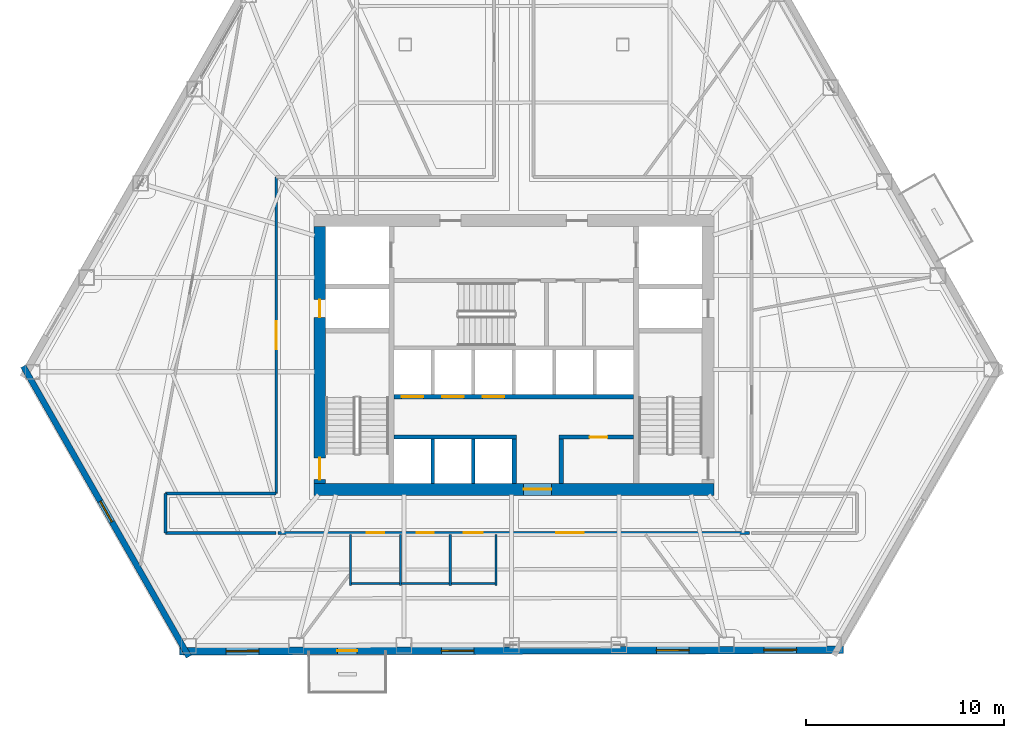
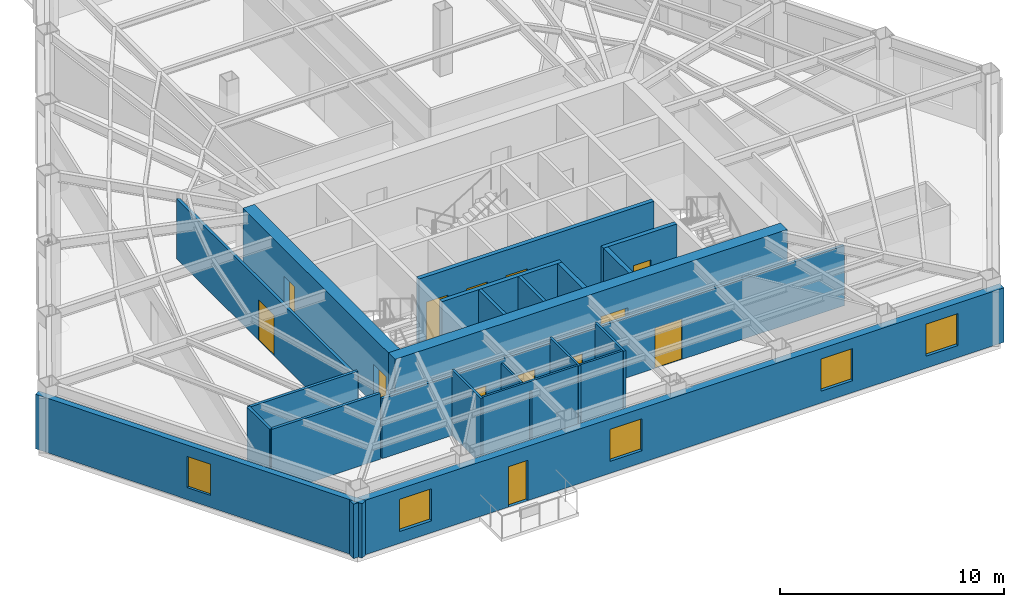
# One storey, part 8 of 14: 21 walls, 13 doors, 5 windows, 18 openings.
"""IFC4 building model written with IfcOpenShell, lengths in metres."""

from ifc_helpers import new_model, si_unit, direction, frame, frame_2d, origin, place, context, subcontext, project, spatial, rectangle, extrude, material, layer, layer_set, type_object, element, fill, save


model = new_model("IFC4")

# Units and contexts
model_context = context("Model", 3, precision=1e-05, world=origin(), true_north=direction((0.0, 1.0)))
body_context = subcontext(model_context, "Body", "Model", "MODEL_VIEW")
ifc_project = project(units=[si_unit("LENGTHUNIT", "METRE"), si_unit("AREAUNIT", "SQUARE_METRE"), si_unit("VOLUMEUNIT", "CUBIC_METRE"), si_unit("PLANEANGLEUNIT", "RADIAN"), si_unit("MASSUNIT", "GRAM", prefix="KILO")], contexts=[model_context])

# Site, building, storey
site_placement = place(None, origin())
site = spatial("IfcSite", under=ifc_project, at=site_placement, CompositionType="ELEMENT")
building_placement = place(site_placement, origin())
building = spatial("IfcBuilding", under=site, at=building_placement, Name="Kavelnor Concourse Tower", CompositionType="ELEMENT")
storey_placement = place(building_placement, frame((0.0, 0.0, 17.550048828125)))
storey = spatial("IfcBuildingStorey", under=building, at=storey_placement, Name="L04", CompositionType="ELEMENT", Elevation=17.550048828125)

# Wall, opening, door
ifc_material_1 = material(Name="Concrete C60/75", Category="concrete")
ifc_layer_1 = layer(ifc_material_1, 0.60009765625, Name="Concrete C60/75")
ifc_layer_set_1 = layer_set([ifc_layer_1], Name="Concrete C60/75")
wall_type_1 = type_object("IfcWallType", Name="WL-CORE-Z1-600", PredefinedType="SOLIDWALL", material=ifc_layer_set_1)
wall_1_placement = place(storey_placement, frame((27.8798828125, 9.300048828125, 0.0), z_axis=(0.0, 0.0, 1.0), x_axis=(1.0, 0.0, 0.0)))
wall_1 = element("IfcWall", 1, at=wall_1_placement, inside=storey, type_object=wall_type_1, Name="L04 Central Core South Shear Wall", PredefinedType="SOLIDWALL", context=body_context, shape_type="SweptSolid", body=[
    extrude(rectangle(XDim=20.240234375, YDim=0.60009765625, at=frame_2d((10.1201171875, 0.0))), origin(), (0.0, 0.0, 1.0), 3.58984375),
])
opening_1_placement = place(wall_1_placement, frame((10.6201171875, 0.0, 0.0)))
opening_1 = element("IfcOpeningElement", 2, at=opening_1_placement, cuts=wall_1, Name="Opening SD-140", PredefinedType="OPENING", context=body_context, shape_type="SweptSolid", body=[
    extrude(rectangle(XDim=1.39990234375, YDim=2.199951171875, at=frame_2d((0.699951171875, 1.10009765625))), frame((0.0, 0.31005859375, 0.0), z_axis=(0.0, -1.0, 0.0), x_axis=(1.0, 0.0, 0.0)), (0.0, 0.0, 1.0), 0.6201171875),
])
ifc_material_2 = material(Name="Solid-core hardwood timber", Category="wood")
door_type_1 = type_object("IfcDoorType", Name="DR-SUITE-ENTRY-1400", OperationType="NOTDEFINED", PredefinedType="DOOR", material=ifc_material_2)
door_1_placement = place(opening_1_placement, origin())
door_1 = element("IfcDoor", 3, at=door_1_placement, inside=storey, type_object=door_type_1, Name="L04 Passenger Lift Lobby Entry Door", OperationType="SINGLE_SWING_LEFT", OverallHeight=2.199951171875, OverallWidth=1.39990234375, PredefinedType="DOOR", context=body_context, shape_type="SweptSolid", body=[
    extrude(rectangle(XDim=1.39990234375, YDim=2.199951171875, at=frame_2d((0.699951171875, 1.10009765625))), frame((0.0, 0.02490234375, 0.0), z_axis=(0.0, -1.0, 0.0), x_axis=(1.0, 0.0, 0.0)), (0.0, 0.0, 1.0), 0.050048828125),
])
fill(opening_1, door_1)

# Wall, openings, doors
wall_2_placement = place(storey_placement, frame((28.179931640625, 9.60009765625, 0.0), z_axis=(0.0, 0.0, 1.0), x_axis=(0.0, 1.0, 0.0)))
wall_2 = element("IfcWall", 4, at=wall_2_placement, inside=storey, type_object=wall_type_1, Name="L04 Central Core West Shear Wall", PredefinedType="SOLIDWALL", context=body_context, shape_type="SweptSolid", body=[
    extrude(rectangle(XDim=13.0, YDim=0.60009765625, at=frame_2d((6.5, 0.0))), origin(), (0.0, 0.0, 1.0), 3.58984375),
])
opening_2_placement = place(wall_2_placement, frame((0.199951171875, 0.0, 0.0)))
opening_2 = element("IfcOpeningElement", 5, at=opening_2_placement, cuts=wall_2, Name="Opening FD-110", PredefinedType="OPENING", context=body_context, shape_type="SweptSolid", body=[
    extrude(rectangle(XDim=1.10009765625, YDim=2.14990234375, at=frame_2d((0.550048828125, 1.074951171875))), frame((0.0, 0.31005859375, 0.0), z_axis=(0.0, -1.0, 0.0), x_axis=(1.0, 0.0, 0.0)), (0.0, 0.0, 1.0), 0.6201171875),
])
opening_3_placement = place(wall_2_placement, frame((8.39990234375, 0.0, 0.0)))
opening_3 = element("IfcOpeningElement", 6, at=opening_3_placement, cuts=wall_2, Name="Opening FD-090", PredefinedType="OPENING", context=body_context, shape_type="SweptSolid", body=[
    extrude(rectangle(XDim=0.89990234375, YDim=2.10009765625, at=frame_2d((0.449951171875, 1.050048828125))), frame((0.0, 0.31005859375, 0.0), z_axis=(0.0, -1.0, 0.0), x_axis=(1.0, 0.0, 0.0)), (0.0, 0.0, 1.0), 0.6201171875),
])
ifc_material_3 = material(Name="Steel Grade 350", Category="steel")
door_type_2 = type_object("IfcDoorType", Name="DR-RISER-FIRE-900", OperationType="NOTDEFINED", PredefinedType="DOOR", material=ifc_material_3)
door_2_placement = place(opening_3_placement, origin())
door_2 = element("IfcDoor", 7, at=door_2_placement, inside=storey, type_object=door_type_2, Name="L04 West Riser Access Door", OperationType="SINGLE_SWING_RIGHT", OverallHeight=2.10009765625, OverallWidth=0.89990234375, PredefinedType="DOOR", context=body_context, shape_type="SweptSolid", body=[
    extrude(rectangle(XDim=0.89990234375, YDim=2.10009765625, at=frame_2d((0.449951171875, 1.050048828125))), frame((0.0, 0.02490234375, 0.0), z_axis=(0.0, -1.0, 0.0), x_axis=(1.0, 0.0, 0.0)), (0.0, 0.0, 1.0), 0.050048828125),
])
fill(opening_3, door_2)
door_type_3 = type_object("IfcDoorType", Name="DR-STAIR-FIRE-1100", OperationType="NOTDEFINED", PredefinedType="DOOR", material=ifc_material_3)
door_3_placement = place(opening_2_placement, origin())
door_3 = element("IfcDoor", 8, at=door_3_placement, inside=storey, type_object=door_type_3, Name="L04 Stair ST1 Fire Door", OperationType="SINGLE_SWING_LEFT", OverallHeight=2.14990234375, OverallWidth=1.10009765625, PredefinedType="DOOR", context=body_context, shape_type="SweptSolid", body=[
    extrude(rectangle(XDim=1.10009765625, YDim=2.14990234375, at=frame_2d((0.550048828125, 1.074951171875))), frame((0.0, 0.02490234375, 0.0), z_axis=(0.0, -1.0, 0.0), x_axis=(1.0, 0.0, 0.0)), (0.0, 0.0, 1.0), 0.050048828125),
])
fill(opening_2, door_3)

# Wall, opening, window
ifc_material_4 = material(Name="Buff ironspot clay face brick masonry", Category="masonry")
ifc_layer_2 = layer(ifc_material_4, 0.300048828125, Name="Buff ironspot clay face brick masonry")
ifc_layer_set_2 = layer_set([ifc_layer_2], Name="Buff ironspot clay face brick masonry")
wall_type_2 = type_object("IfcWallType", Name="WL-EXT-BUFF-BRICK-FOLD-300", PredefinedType="STANDARD", material=ifc_layer_set_2)
wall_3_placement = place(storey_placement, frame((21.560791015625, 0.8369140625, 0.0), z_axis=(0.0, 0.0, 1.0), x_axis=(-0.495143545557, 0.868811181611, 0.0)))
wall_3 = element("IfcWall", 9, at=wall_3_placement, inside=storey, type_object=wall_type_2, Name="L04 Exterior Brick Facade Wall E2", PredefinedType="STANDARD", context=body_context, shape_type="SweptSolid", body=[
    extrude(rectangle(XDim=16.910400390625, YDim=0.300048828125, at=frame_2d((8.455078125, 0.0))), origin(), (0.0, 0.0, 1.0), 2.969970703125),
])
opening_4_placement = place(wall_3_placement, frame((7.855224609375, 0.0, 0.64990234375)))
opening_4 = element("IfcOpeningElement", 10, at=opening_4_placement, cuts=wall_3, Name="Opening W-05", PredefinedType="OPENING", context=body_context, shape_type="SweptSolid", body=[
    extrude(rectangle(XDim=1.199951171875, YDim=1.699951171875, at=frame_2d((0.60009765625, 0.85009765625))), frame((0.0, 0.16015625, 0.0), z_axis=(0.0, -1.0, 0.0), x_axis=(1.0, 0.0, 0.0)), (0.0, 0.0, 1.0), 0.320068359375),
])
ifc_material_5 = material(Name="Double low-E argon insulated glazing", Category="glass")
window_type_1 = type_object("IfcWindowType", Name="WIN-FOLD-1200", PartitioningType="SINGLE_PANEL", PredefinedType="WINDOW", material=ifc_material_5)
window_1_placement = place(opening_4_placement, origin())
window_1 = element("IfcWindow", 11, at=window_1_placement, inside=storey, type_object=window_type_1, Name="L04 Chamfer-Fold Facet Window C1", OverallHeight=1.699951171875, OverallWidth=1.199951171875, PartitioningType="SINGLE_PANEL", PredefinedType="WINDOW", context=body_context, shape_type="SweptSolid", body=[
    extrude(rectangle(XDim=1.199951171875, YDim=1.699951171875, at=frame_2d((0.60009765625, 0.85009765625))), frame((0.0, 0.030029296875, 0.0), z_axis=(0.0, -1.0, 0.0), x_axis=(1.0, 0.0, 0.0)), (0.0, 0.0, 1.0), 0.06005859375),
])
fill(opening_4, window_1)

# Wall, openings, door, windows
ifc_material_6 = material(Name="Red-ochre clay face brick masonry", Category="masonry")
ifc_layer_3 = layer(ifc_material_6, 0.3798828125, Name="Red-ochre clay face brick masonry")
ifc_layer_set_3 = layer_set([ifc_layer_3], Name="Red-ochre clay face brick masonry")
wall_type_3 = type_object("IfcWallType", Name="WL-EXT-RED-BRICK-PIER-380", PredefinedType="STANDARD", material=ifc_layer_set_3)
wall_4_placement = place(storey_placement, frame((54.67138671875, 1.189208984375, 0.0), z_axis=(0.0, 0.0, 1.0), x_axis=(-0.999997638948, -0.002173038948, 0.0)))
wall_4 = element("IfcWall", 12, at=wall_4_placement, inside=storey, type_object=wall_type_3, Name="L04 Exterior Brick Facade Wall E3", PredefinedType="STANDARD", context=body_context, shape_type="SweptSolid", body=[
    extrude(rectangle(XDim=33.592529296875, YDim=0.3798828125, at=frame_2d((16.79638671875, 0.0))), origin(), (0.0, 0.0, 1.0), 2.969970703125),
])
opening_5_placement = place(wall_4_placement, frame((24.594482421875, 0.0, 0.0)))
opening_5 = element("IfcOpeningElement", 13, at=opening_5_placement, cuts=wall_4, Name="Opening BD-100", PredefinedType="OPENING", context=body_context, shape_type="SweptSolid", body=[
    extrude(rectangle(XDim=1.0, YDim=2.199951171875, at=frame_2d((0.5, 1.10009765625))), frame((0.0, 0.199951171875, 0.0), z_axis=(0.0, -1.0, 0.0), x_axis=(1.0, 0.0, 0.0)), (0.0, 0.0, 1.0), 0.39990234375),
])
opening_6_placement = place(wall_4_placement, frame((29.568603515625, 0.0, 0.64990234375)))
opening_6 = element("IfcOpeningElement", 14, at=opening_6_placement, cuts=wall_4, Name="Opening W-01", PredefinedType="OPENING", context=body_context, shape_type="SweptSolid", body=[
    extrude(rectangle(XDim=1.64990234375, YDim=1.75, at=frame_2d((0.824951171875, 0.875))), frame((0.0, 0.199951171875, 0.0), z_axis=(0.0, -1.0, 0.0), x_axis=(1.0, 0.0, 0.0)), (0.0, 0.0, 1.0), 0.39990234375),
])
opening_7_placement = place(wall_4_placement, frame((18.68994140625, 0.0, 0.64990234375)))
opening_7 = element("IfcOpeningElement", 15, at=opening_7_placement, cuts=wall_4, Name="Opening W-01", PredefinedType="OPENING", context=body_context, shape_type="SweptSolid", body=[
    extrude(rectangle(XDim=1.64990234375, YDim=1.75, at=frame_2d((0.824951171875, 0.875))), frame((0.0, 0.199951171875, 0.0), z_axis=(0.0, -1.0, 0.0), x_axis=(1.0, 0.0, 0.0)), (0.0, 0.0, 1.0), 0.39990234375),
])
opening_8_placement = place(wall_4_placement, frame((7.811279296875, 0.0, 0.64990234375)))
opening_8 = element("IfcOpeningElement", 16, at=opening_8_placement, cuts=wall_4, Name="Opening W-01", PredefinedType="OPENING", context=body_context, shape_type="SweptSolid", body=[
    extrude(rectangle(XDim=1.64990234375, YDim=1.75, at=frame_2d((0.824951171875, 0.875))), frame((0.0, 0.199951171875, 0.0), z_axis=(0.0, -1.0, 0.0), x_axis=(1.0, 0.0, 0.0)), (0.0, 0.0, 1.0), 0.39990234375),
])
opening_9_placement = place(wall_4_placement, frame((2.372314453125, 0.0, 0.64990234375)))
opening_9 = element("IfcOpeningElement", 17, at=opening_9_placement, cuts=wall_4, Name="Opening W-01", PredefinedType="OPENING", context=body_context, shape_type="SweptSolid", body=[
    extrude(rectangle(XDim=1.64990234375, YDim=1.75, at=frame_2d((0.824951171875, 0.875))), frame((0.0, 0.199951171875, 0.0), z_axis=(0.0, -1.0, 0.0), x_axis=(1.0, 0.0, 0.0)), (0.0, 0.0, 1.0), 0.39990234375),
])
ifc_material_7 = material(Name="Anodised aluminium 6063-T6", Category="aluminium")
door_type_4 = type_object("IfcDoorType", Name="DR-BALCONY-EXT-1000", OperationType="NOTDEFINED", PredefinedType="DOOR", material=ifc_material_7)
door_4_placement = place(opening_5_placement, origin())
door_4 = element("IfcDoor", 18, at=door_4_placement, inside=storey, type_object=door_type_4, Name="L04 Tree Balcony 1 Glazed Door", OperationType="SINGLE_SWING_LEFT", OverallHeight=2.199951171875, OverallWidth=1.0, PredefinedType="DOOR", context=body_context, shape_type="SweptSolid", body=[
    extrude(rectangle(XDim=1.0, YDim=2.199951171875, at=frame_2d((0.5, 1.10009765625))), frame((0.0, 0.02490234375, 0.0), z_axis=(0.0, -1.0, 0.0), x_axis=(1.0, 0.0, 0.0)), (0.0, 0.0, 1.0), 0.050048828125),
])
fill(opening_5, door_4)
window_type_2 = type_object("IfcWindowType", Name="WIN-PIER-Z1-1800", PartitioningType="SINGLE_PANEL", PredefinedType="WINDOW", material=ifc_material_5)
window_2_placement = place(opening_6_placement, origin())
window_2 = element("IfcWindow", 19, at=window_2_placement, inside=storey, type_object=window_type_2, Name="L04 Deep-Set Brick Pier Window F1-B0", OverallHeight=1.75, OverallWidth=1.64990234375, PartitioningType="SINGLE_PANEL", PredefinedType="WINDOW", context=body_context, shape_type="SweptSolid", body=[
    extrude(rectangle(XDim=1.64990234375, YDim=1.75, at=frame_2d((0.824951171875, 0.875))), frame((0.0, 0.030029296875, 0.0), z_axis=(0.0, -1.0, 0.0), x_axis=(1.0, 0.0, 0.0)), (0.0, 0.0, 1.0), 0.06005859375),
])
fill(opening_6, window_2)
window_3_placement = place(opening_7_placement, origin())
window_3 = element("IfcWindow", 20, at=window_3_placement, inside=storey, type_object=window_type_2, Name="L04 Deep-Set Brick Pier Window F1-B2", OverallHeight=1.75, OverallWidth=1.64990234375, PartitioningType="SINGLE_PANEL", PredefinedType="WINDOW", context=body_context, shape_type="SweptSolid", body=[
    extrude(rectangle(XDim=1.64990234375, YDim=1.75, at=frame_2d((0.824951171875, 0.875))), frame((0.0, 0.030029296875, 0.0), z_axis=(0.0, -1.0, 0.0), x_axis=(1.0, 0.0, 0.0)), (0.0, 0.0, 1.0), 0.06005859375),
])
fill(opening_7, window_3)
window_4_placement = place(opening_8_placement, origin())
window_4 = element("IfcWindow", 21, at=window_4_placement, inside=storey, type_object=window_type_2, Name="L04 Deep-Set Brick Pier Window F1-B4", OverallHeight=1.75, OverallWidth=1.64990234375, PartitioningType="SINGLE_PANEL", PredefinedType="WINDOW", context=body_context, shape_type="SweptSolid", body=[
    extrude(rectangle(XDim=1.64990234375, YDim=1.75, at=frame_2d((0.824951171875, 0.875))), frame((0.0, 0.030029296875, 0.0), z_axis=(0.0, -1.0, 0.0), x_axis=(1.0, 0.0, 0.0)), (0.0, 0.0, 1.0), 0.06005859375),
])
fill(opening_8, window_4)
window_5_placement = place(opening_9_placement, origin())
window_5 = element("IfcWindow", 22, at=window_5_placement, inside=storey, type_object=window_type_2, Name="L04 Deep-Set Brick Pier Window F1-B5", OverallHeight=1.75, OverallWidth=1.64990234375, PartitioningType="SINGLE_PANEL", PredefinedType="WINDOW", context=body_context, shape_type="SweptSolid", body=[
    extrude(rectangle(XDim=1.64990234375, YDim=1.75, at=frame_2d((0.824951171875, 0.875))), frame((0.0, 0.030029296875, 0.0), z_axis=(0.0, -1.0, 0.0), x_axis=(1.0, 0.0, 0.0)), (0.0, 0.0, 1.0), 0.06005859375),
])
fill(opening_9, window_5)

# Wall
ifc_material_8 = material(Name="Gypsum plasterboard on light-gauge steel studs", Category="steel")
ifc_layer_4 = layer(ifc_material_8, 0.14501953125, Name="Gypsum plasterboard on light-gauge steel studs")
ifc_layer_set_4 = layer_set([ifc_layer_4], Name="Gypsum plasterboard on light-gauge steel studs")
wall_type_4 = type_object("IfcWallType", Name="WL-INT-CORR-145", PredefinedType="PARTITIONING", material=ifc_layer_set_4)
wall_5_placement = place(storey_placement, frame((20.37353515625, 9.10009765625, 0.0), z_axis=(0.0, 0.0, 1.0), x_axis=(1.0, 0.0, 0.0)))
element("IfcWall", 23, at=wall_5_placement, inside=storey, type_object=wall_type_4, Name="L04 Corridor Wall WL-L04-CR-01", PredefinedType="PARTITIONING", context=body_context, shape_type="SweptSolid", body=[
    extrude(rectangle(XDim=5.6064453125, YDim=0.14501953125, at=frame_2d((2.80322265625, 0.0))), origin(), (0.0, 0.0, 1.0), 3.58984375),
])

# Wall, opening, door
wall_6_placement = place(storey_placement, frame((25.97998046875, 9.10009765625, 0.0), z_axis=(0.0, 0.0, 1.0), x_axis=(0.0, 1.0, 0.0)))
wall_6 = element("IfcWall", 24, at=wall_6_placement, inside=storey, type_object=wall_type_4, Name="L04 Corridor Wall WL-L04-CR-02", PredefinedType="PARTITIONING", context=body_context, shape_type="SweptSolid", body=[
    extrude(rectangle(XDim=16.0, YDim=0.14501953125, at=frame_2d((8.0, 0.0))), origin(), (0.0, 0.0, 1.0), 3.27783203125),
])
opening_10_placement = place(wall_6_placement, frame((7.300048828125, 0.0, 0.0)))
opening_10 = element("IfcOpeningElement", 25, at=opening_10_placement, cuts=wall_6, Name="Opening SD-140", PredefinedType="OPENING", context=body_context, shape_type="SweptSolid", body=[
    extrude(rectangle(XDim=1.39990234375, YDim=2.199951171875, at=frame_2d((0.699951171875, 1.10009765625))), frame((0.0, 0.08251953125, 0.0), z_axis=(0.0, -1.0, 0.0), x_axis=(1.0, 0.0, 0.0)), (0.0, 0.0, 1.0), 0.1650390625),
])
door_5_placement = place(opening_10_placement, origin())
door_5 = element("IfcDoor", 26, at=door_5_placement, inside=storey, type_object=door_type_1, Name="L04 Client Concierge 03 Door", OperationType="SINGLE_SWING_RIGHT", OverallHeight=2.199951171875, OverallWidth=1.39990234375, PredefinedType="DOOR", context=body_context, shape_type="SweptSolid", body=[
    extrude(rectangle(XDim=1.39990234375, YDim=2.199951171875, at=frame_2d((0.699951171875, 1.10009765625))), frame((0.0, 0.02490234375, 0.0), z_axis=(0.0, -1.0, 0.0), x_axis=(1.0, 0.0, 0.0)), (0.0, 0.0, 1.0), 0.050048828125),
])
fill(opening_10, door_5)

# Wall, openings, doors
wall_7_placement = place(storey_placement, frame((49.919921875, 7.10009765625, 0.0), z_axis=(0.0, 0.0, 1.0), x_axis=(-1.0, 0.0, 0.0)))
wall_7 = element("IfcWall", 27, at=wall_7_placement, inside=storey, type_object=wall_type_4, Name="L04 Corridor Wall WL-L04-CR-12", PredefinedType="PARTITIONING", context=body_context, shape_type="SweptSolid", body=[
    extrude(rectangle(XDim=23.83984375, YDim=0.14501953125, at=frame_2d((11.919921875, 0.0))), origin(), (0.0, 0.0, 1.0), 3.27783203125),
])
opening_11_placement = place(wall_7_placement, frame((18.47998046875, 0.0, 0.0)))
opening_11 = element("IfcOpeningElement", 28, at=opening_11_placement, cuts=wall_7, Name="Opening WD-088", PredefinedType="OPENING", context=body_context, shape_type="SweptSolid", body=[
    extrude(rectangle(XDim=0.8798828125, YDim=2.10009765625, at=frame_2d((0.43994140625, 1.050048828125))), frame((0.0, 0.08251953125, 0.0), z_axis=(0.0, -1.0, 0.0), x_axis=(1.0, 0.0, 0.0)), (0.0, 0.0, 1.0), 0.1650390625),
])
opening_12_placement = place(wall_7_placement, frame((15.9599609375, 0.0, 0.0)))
opening_12 = element("IfcOpeningElement", 29, at=opening_12_placement, cuts=wall_7, Name="Opening WD-088", PredefinedType="OPENING", context=body_context, shape_type="SweptSolid", body=[
    extrude(rectangle(XDim=0.8798828125, YDim=2.10009765625, at=frame_2d((0.43994140625, 1.050048828125))), frame((0.0, 0.08251953125, 0.0), z_axis=(0.0, -1.0, 0.0), x_axis=(1.0, 0.0, 0.0)), (0.0, 0.0, 1.0), 0.1650390625),
])
opening_13_placement = place(wall_7_placement, frame((13.5, 0.0, 0.0)))
opening_13 = element("IfcOpeningElement", 30, at=opening_13_placement, cuts=wall_7, Name="Opening WD-096", PredefinedType="OPENING", context=body_context, shape_type="SweptSolid", body=[
    extrude(rectangle(XDim=0.9599609375, YDim=2.10009765625, at=frame_2d((0.47998046875, 1.050048828125))), frame((0.0, 0.08251953125, 0.0), z_axis=(0.0, -1.0, 0.0), x_axis=(1.0, 0.0, 0.0)), (0.0, 0.0, 1.0), 0.1650390625),
])
opening_14_placement = place(wall_7_placement, frame((8.373779296875, 0.0, 0.0)))
opening_14 = element("IfcOpeningElement", 31, at=opening_14_placement, cuts=wall_7, Name="Opening SD-140", PredefinedType="OPENING", context=body_context, shape_type="SweptSolid", body=[
    extrude(rectangle(XDim=1.39990234375, YDim=2.199951171875, at=frame_2d((0.699951171875, 1.10009765625))), frame((0.0, 0.08251953125, 0.0), z_axis=(0.0, -1.0, 0.0), x_axis=(1.0, 0.0, 0.0)), (0.0, 0.0, 1.0), 0.1650390625),
])
door_6_placement = place(opening_14_placement, origin())
door_6 = element("IfcDoor", 32, at=door_6_placement, inside=storey, type_object=door_type_1, Name="L04 Executive Servery Pantry 05 Door", OperationType="SINGLE_SWING_RIGHT", OverallHeight=2.199951171875, OverallWidth=1.39990234375, PredefinedType="DOOR", context=body_context, shape_type="SweptSolid", body=[
    extrude(rectangle(XDim=1.39990234375, YDim=2.199951171875, at=frame_2d((0.699951171875, 1.10009765625))), frame((0.0, 0.02490234375, 0.0), z_axis=(0.0, -1.0, 0.0), x_axis=(1.0, 0.0, 0.0)), (0.0, 0.0, 1.0), 0.050048828125),
])
fill(opening_14, door_6)
door_type_5 = type_object("IfcDoorType", Name="DR-WC-ACC-960", OperationType="NOTDEFINED", PredefinedType="DOOR", material=ifc_material_2)
door_7_placement = place(opening_13_placement, origin())
door_7 = element("IfcDoor", 33, at=door_7_placement, inside=storey, type_object=door_type_5, Name="L04 Accessible WC Door", OperationType="SINGLE_SWING_LEFT", OverallHeight=2.10009765625, OverallWidth=0.9599609375, PredefinedType="DOOR", context=body_context, shape_type="SweptSolid", body=[
    extrude(rectangle(XDim=0.9599609375, YDim=2.10009765625, at=frame_2d((0.47998046875, 1.050048828125))), frame((0.0, 0.02490234375, 0.0), z_axis=(0.0, -1.0, 0.0), x_axis=(1.0, 0.0, 0.0)), (0.0, 0.0, 1.0), 0.050048828125),
])
fill(opening_13, door_7)
door_type_6 = type_object("IfcDoorType", Name="DR-WC-STD-880", OperationType="NOTDEFINED", PredefinedType="DOOR", material=ifc_material_2)
door_8_placement = place(opening_11_placement, origin())
door_8 = element("IfcDoor", 34, at=door_8_placement, inside=storey, type_object=door_type_6, Name="L04 Male WC Door", OperationType="SINGLE_SWING_LEFT", OverallHeight=2.10009765625, OverallWidth=0.8798828125, PredefinedType="DOOR", context=body_context, shape_type="SweptSolid", body=[
    extrude(rectangle(XDim=0.8798828125, YDim=2.10009765625, at=frame_2d((0.43994140625, 1.050048828125))), frame((0.0, 0.02490234375, 0.0), z_axis=(0.0, -1.0, 0.0), x_axis=(1.0, 0.0, 0.0)), (0.0, 0.0, 1.0), 0.050048828125),
])
fill(opening_11, door_8)
door_9_placement = place(opening_12_placement, origin())
door_9 = element("IfcDoor", 35, at=door_9_placement, inside=storey, type_object=door_type_6, Name="L04 Female WC Door", OperationType="SINGLE_SWING_RIGHT", OverallHeight=2.10009765625, OverallWidth=0.8798828125, PredefinedType="DOOR", context=body_context, shape_type="SweptSolid", body=[
    extrude(rectangle(XDim=0.8798828125, YDim=2.10009765625, at=frame_2d((0.43994140625, 1.050048828125))), frame((0.0, 0.02490234375, 0.0), z_axis=(0.0, -1.0, 0.0), x_axis=(1.0, 0.0, 0.0)), (0.0, 0.0, 1.0), 0.050048828125),
])
fill(opening_12, door_9)

# Walls
wall_8_placement = place(storey_placement, frame((25.97998046875, 7.10009765625, 0.0), z_axis=(0.0, 0.0, 1.0), x_axis=(-1.0, 0.0, 0.0)))
element("IfcWall", 36, at=wall_8_placement, inside=storey, type_object=wall_type_4, Name="L04 Corridor Wall WL-L04-CR-13", PredefinedType="PARTITIONING", context=body_context, shape_type="SweptSolid", body=[
    extrude(rectangle(XDim=5.6064453125, YDim=0.14501953125, at=frame_2d((2.80322265625, 0.0))), origin(), (0.0, 0.0, 1.0), 3.58984375),
])
wall_9_placement = place(storey_placement, frame((20.37353515625, 7.10009765625, 0.0), z_axis=(0.0, 0.0, 1.0), x_axis=(0.0, 1.0, 0.0)))
element("IfcWall", 37, at=wall_9_placement, inside=storey, type_object=wall_type_4, Name="L04 Corridor Wall WL-L04-CR-14", PredefinedType="PARTITIONING", context=body_context, shape_type="SweptSolid", body=[
    extrude(rectangle(XDim=2.0, YDim=0.14501953125, at=frame_2d((1.0, 0.0))), origin(), (0.0, 0.0, 1.0), 3.58984375),
])
ifc_layer_5 = layer(ifc_material_8, 0.1650390625, Name="Gypsum plasterboard on light-gauge steel studs")
ifc_layer_set_5 = layer_set([ifc_layer_5], Name="Gypsum plasterboard on light-gauge steel studs")
wall_type_5 = type_object("IfcWallType", Name="WL-INT-FIRE-165", PredefinedType="PARTITIONING", material=ifc_layer_set_5)
for number, where, z_axis, x_axis, name in (
    (38, (33.89990234375, 9.60009765625, 0.0), (0.0, 0.0, 1.0), (0.0, 1.0, 0.0), "L04 Lift Shaft Divider LP7"),
    (39, (35.949951171875, 9.60009765625, 0.0), (0.0, 0.0, 1.0), (0.0, 1.0, 0.0), "L04 Lift Shaft Divider LP8"),
):
    element("IfcWall", number, at=place(storey_placement, frame(where, z_axis=z_axis, x_axis=x_axis)), inside=storey, type_object=wall_type_5, Name=name, PredefinedType="PARTITIONING", context=body_context, shape_type="SweptSolid", body=[
        extrude(rectangle(XDim=2.239990234375, YDim=0.1650390625, at=frame_2d((1.1201171875, 0.0))), origin(), (0.0, 0.0, 1.0), 3.58984375),
    ])
ifc_layer_6 = layer(ifc_material_8, 0.110107421875, Name="Gypsum plasterboard on light-gauge steel studs")
ifc_layer_set_6 = layer_set([ifc_layer_6], Name="Gypsum plasterboard on light-gauge steel studs")
wall_type_6 = type_object("IfcWallType", Name="WL-INT-WC-110", PredefinedType="PLUMBINGWALL", material=ifc_layer_set_6)
wall_10_placement = place(storey_placement, frame((29.739990234375, 4.449951171875, 0.0), z_axis=(0.0, 0.0, 1.0), x_axis=(0.0, 1.0, 0.0)))
element("IfcWall", 40, at=wall_10_placement, inside=storey, type_object=wall_type_6, Name="L04 Sanitary Partition WL-L04-WC-W", PredefinedType="PLUMBINGWALL", context=body_context, shape_type="SweptSolid", body=[
    extrude(rectangle(XDim=2.580078125, YDim=0.110107421875, at=frame_2d((1.2900390625, 0.0))), origin(), (0.0, 0.0, 1.0), 3.58984375),
])
wall_11_placement = place(storey_placement, frame((32.260009765625, 4.449951171875, 0.0), z_axis=(0.0, 0.0, 1.0), x_axis=(0.0, 1.0, 0.0)))
element("IfcWall", 41, at=wall_11_placement, inside=storey, type_object=wall_type_6, Name="L04 Sanitary Partition WL-L04-WC-D1", PredefinedType="PLUMBINGWALL", context=body_context, shape_type="SweptSolid", body=[
    extrude(rectangle(XDim=2.580078125, YDim=0.110107421875, at=frame_2d((1.2900390625, 0.0))), origin(), (0.0, 0.0, 1.0), 3.056884765625),
])
for number, where, z_axis, x_axis, name in (
    (42, (34.780029296875, 4.449951171875, 0.0), (0.0, 0.0, 1.0), (0.0, 1.0, 0.0), "L04 Sanitary Partition WL-L04-WC-D2"),
    (43, (37.10009765625, 4.449951171875, 0.0), (0.0, 0.0, 1.0), (0.0, 1.0, 0.0), "L04 Sanitary Partition WL-L04-WC-E"),
):
    element("IfcWall", number, at=place(storey_placement, frame(where, z_axis=z_axis, x_axis=x_axis)), inside=storey, type_object=wall_type_6, Name=name, PredefinedType="PLUMBINGWALL", context=body_context, shape_type="SweptSolid", body=[
        extrude(rectangle(XDim=2.580078125, YDim=0.110107421875, at=frame_2d((1.2900390625, 0.0))), origin(), (0.0, 0.0, 1.0), 3.58984375),
    ])
wall_12_placement = place(storey_placement, frame((29.68994140625, 4.550048828125, 0.0), z_axis=(0.0, 0.0, 1.0), x_axis=(1.0, 0.0, 0.0)))
element("IfcWall", 44, at=wall_12_placement, inside=storey, type_object=wall_type_6, Name="L04 Sanitary Partition WL-L04-WC-S", PredefinedType="PLUMBINGWALL", context=body_context, shape_type="SweptSolid", body=[
    extrude(rectangle(XDim=7.4599609375, YDim=0.110107421875, at=frame_2d((3.72998046875, 0.0))), origin(), (0.0, 0.0, 1.0), 3.58984375),
])

# Wall, openings, doors
ifc_material_9 = material(Name="Concrete C50/60", Category="concrete")
ifc_layer_7 = layer(ifc_material_9, 0.219970703125, Name="Concrete C50/60")
ifc_layer_set_7 = layer_set([ifc_layer_7], Name="Concrete C50/60")
wall_type_7 = type_object("IfcWallType", Name="WL-SHAFT-220", PredefinedType="SOLIDWALL", material=ifc_layer_set_7)
wall_13_placement = place(storey_placement, frame((31.93994140625, 13.989990234375, 0.0), z_axis=(0.0, 0.0, 1.0), x_axis=(1.0, 0.0, 0.0)))
wall_13 = element("IfcWall", 45, at=wall_13_placement, inside=storey, type_object=wall_type_7, Name="L04 North Lift Row Shaft Wall", PredefinedType="SOLIDWALL", context=body_context, shape_type="SweptSolid", body=[
    extrude(rectangle(XDim=12.1201171875, YDim=0.219970703125, at=frame_2d((6.06005859375, 0.0))), origin(), (0.0, 0.0, 1.0), 3.58984375),
])
opening_15_placement = place(wall_13_placement, frame((0.385009765625, 0.0, 0.0)))
opening_15 = element("IfcOpeningElement", 46, at=opening_15_placement, cuts=wall_13, Name="Opening LD-110", PredefinedType="OPENING", context=body_context, shape_type="SweptSolid", body=[
    extrude(rectangle(XDim=1.10009765625, YDim=2.199951171875, at=frame_2d((0.550048828125, 1.10009765625))), frame((0.0, 0.1201171875, 0.0), z_axis=(0.0, -1.0, 0.0), x_axis=(1.0, 0.0, 0.0)), (0.0, 0.0, 1.0), 0.239990234375),
])
opening_16_placement = place(wall_13_placement, frame((2.43505859375, 0.0, 0.0)))
opening_16 = element("IfcOpeningElement", 47, at=opening_16_placement, cuts=wall_13, Name="Opening LD-110", PredefinedType="OPENING", context=body_context, shape_type="SweptSolid", body=[
    extrude(rectangle(XDim=1.10009765625, YDim=2.199951171875, at=frame_2d((0.550048828125, 1.10009765625))), frame((0.0, 0.1201171875, 0.0), z_axis=(0.0, -1.0, 0.0), x_axis=(1.0, 0.0, 0.0)), (0.0, 0.0, 1.0), 0.239990234375),
])
opening_17_placement = place(wall_13_placement, frame((4.485107421875, 0.0, 0.0)))
opening_17 = element("IfcOpeningElement", 48, at=opening_17_placement, cuts=wall_13, Name="Opening LD-110", PredefinedType="OPENING", context=body_context, shape_type="SweptSolid", body=[
    extrude(rectangle(XDim=1.10009765625, YDim=2.199951171875, at=frame_2d((0.550048828125, 1.10009765625))), frame((0.0, 0.1201171875, 0.0), z_axis=(0.0, -1.0, 0.0), x_axis=(1.0, 0.0, 0.0)), (0.0, 0.0, 1.0), 0.239990234375),
])
door_type_7 = type_object("IfcDoorType", Name="DR-LIFT-SLIDING-1100", OperationType="NOTDEFINED", PredefinedType="DOOR", material=ifc_material_3)
door_10_placement = place(opening_15_placement, origin())
door_10 = element("IfcDoor", 49, at=door_10_placement, inside=storey, type_object=door_type_7, Name="L04 Lift LP1 Landing Door", OperationType="DOUBLE_DOOR_SLIDING", OverallHeight=2.199951171875, OverallWidth=1.10009765625, PredefinedType="DOOR", context=body_context, shape_type="SweptSolid", body=[
    extrude(rectangle(XDim=1.10009765625, YDim=2.199951171875, at=frame_2d((0.550048828125, 1.10009765625))), frame((0.0, 0.02490234375, 0.0), z_axis=(0.0, -1.0, 0.0), x_axis=(1.0, 0.0, 0.0)), (0.0, 0.0, 1.0), 0.050048828125),
])
fill(opening_15, door_10)
door_11_placement = place(opening_16_placement, origin())
door_11 = element("IfcDoor", 50, at=door_11_placement, inside=storey, type_object=door_type_7, Name="L04 Lift LP2 Landing Door", OperationType="DOUBLE_DOOR_SLIDING", OverallHeight=2.199951171875, OverallWidth=1.10009765625, PredefinedType="DOOR", context=body_context, shape_type="SweptSolid", body=[
    extrude(rectangle(XDim=1.10009765625, YDim=2.199951171875, at=frame_2d((0.550048828125, 1.10009765625))), frame((0.0, 0.02490234375, 0.0), z_axis=(0.0, -1.0, 0.0), x_axis=(1.0, 0.0, 0.0)), (0.0, 0.0, 1.0), 0.050048828125),
])
fill(opening_16, door_11)
door_12_placement = place(opening_17_placement, origin())
door_12 = element("IfcDoor", 51, at=door_12_placement, inside=storey, type_object=door_type_7, Name="L04 Lift LP3 Landing Door", OperationType="DOUBLE_DOOR_SLIDING", OverallHeight=2.199951171875, OverallWidth=1.10009765625, PredefinedType="DOOR", context=body_context, shape_type="SweptSolid", body=[
    extrude(rectangle(XDim=1.10009765625, YDim=2.199951171875, at=frame_2d((0.550048828125, 1.10009765625))), frame((0.0, 0.02490234375, 0.0), z_axis=(0.0, -1.0, 0.0), x_axis=(1.0, 0.0, 0.0)), (0.0, 0.0, 1.0), 0.050048828125),
])
fill(opening_17, door_12)

# Wall
wall_14_placement = place(storey_placement, frame((31.93994140625, 11.949951171875, 0.0), z_axis=(0.0, 0.0, 1.0), x_axis=(1.0, 0.0, 0.0)))
element("IfcWall", 52, at=wall_14_placement, inside=storey, type_object=wall_type_7, Name="L04 High-Rise Lift Bank North Wall", PredefinedType="SOLIDWALL", context=body_context, shape_type="SweptSolid", body=[
    extrude(rectangle(XDim=6.18994140625, YDim=0.219970703125, at=frame_2d((3.094970703125, 0.0))), origin(), (0.0, 0.0, 1.0), 3.58984375),
])

# Wall, opening, door
wall_15_placement = place(storey_placement, frame((40.280029296875, 11.949951171875, 0.0), z_axis=(0.0, 0.0, 1.0), x_axis=(1.0, 0.0, 0.0)))
wall_15 = element("IfcWall", 53, at=wall_15_placement, inside=storey, type_object=wall_type_7, Name="L04 Core South Support North Wall", PredefinedType="SOLIDWALL", context=body_context, shape_type="SweptSolid", body=[
    extrude(rectangle(XDim=3.780029296875, YDim=0.219970703125, at=frame_2d((1.89013671875, 0.0))), origin(), (0.0, 0.0, 1.0), 3.58984375),
])
opening_18_placement = place(wall_15_placement, frame((1.550048828125, 0.0, 0.0)))
opening_18 = element("IfcOpeningElement", 54, at=opening_18_placement, cuts=wall_15, Name="Opening FD-090", PredefinedType="OPENING", context=body_context, shape_type="SweptSolid", body=[
    extrude(rectangle(XDim=0.89990234375, YDim=2.10009765625, at=frame_2d((0.449951171875, 1.050048828125))), frame((0.0, 0.1201171875, 0.0), z_axis=(0.0, -1.0, 0.0), x_axis=(1.0, 0.0, 0.0)), (0.0, 0.0, 1.0), 0.239990234375),
])
door_13_placement = place(opening_18_placement, origin())
door_13 = element("IfcDoor", 55, at=door_13_placement, inside=storey, type_object=door_type_2, Name="L04 BMS Metering Door", OperationType="SINGLE_SWING_RIGHT", OverallHeight=2.10009765625, OverallWidth=0.89990234375, PredefinedType="DOOR", context=body_context, shape_type="SweptSolid", body=[
    extrude(rectangle(XDim=0.89990234375, YDim=2.10009765625, at=frame_2d((0.449951171875, 1.050048828125))), frame((0.0, 0.02490234375, 0.0), z_axis=(0.0, -1.0, 0.0), x_axis=(1.0, 0.0, 0.0)), (0.0, 0.0, 1.0), 0.050048828125),
])
fill(opening_18, door_13)

# Walls
for number, where, z_axis, x_axis, name in (
    (56, (38.02001953125, 9.60009765625, 0.0), (0.0, 0.0, 1.0), (0.0, 1.0, 0.0), "L04 Lift Lobby Throat West Wall"),
    (57, (40.389892578125, 9.60009765625, 0.0), (0.0, 0.0, 1.0), (0.0, 1.0, 0.0), "L04 Lift Lobby Throat East Wall"),
):
    element("IfcWall", number, at=place(storey_placement, frame(where, z_axis=z_axis, x_axis=x_axis)), inside=storey, type_object=wall_type_7, Name=name, PredefinedType="SOLIDWALL", context=body_context, shape_type="SweptSolid", body=[
        extrude(rectangle(XDim=2.239990234375, YDim=0.219970703125, at=frame_2d((1.1201171875, 0.0))), origin(), (0.0, 0.0, 1.0), 3.58984375),
    ])

save(model, "model.ifc")
